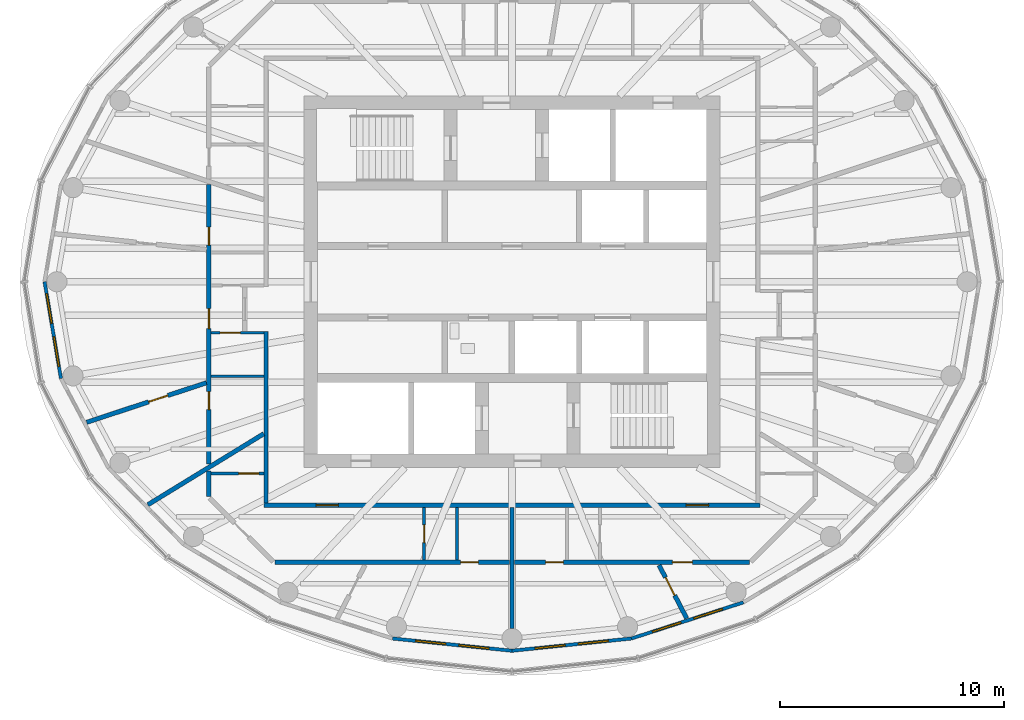
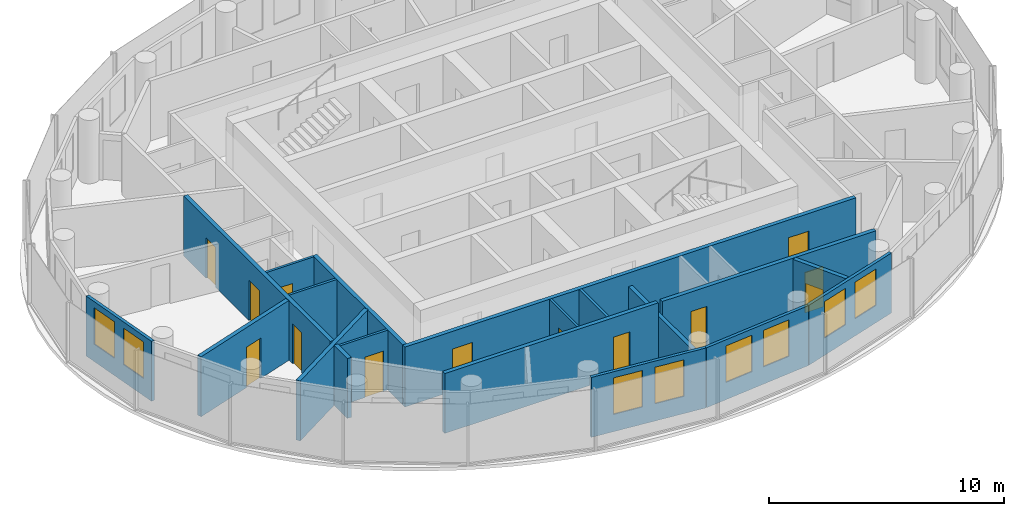
# One storey, part 5 of 12: 19 walls, 13 doors, 8 windows, 21 openings.
"""IFC4 building model written with IfcOpenShell, lengths in metres."""

from ifc_helpers import new_model, si_unit, direction, frame, frame_2d, origin, place, context, subcontext, project, spatial, rectangle, extrude, material, layer, layer_set, type_object, element, fill, save


model = new_model("IFC4")

# Units and contexts
model_context = context("Model", 3, precision=1e-05, world=origin(), true_north=direction((0.0, 1.0)))
body_context = subcontext(model_context, "Body", "Model", "MODEL_VIEW")
ifc_project = project(units=[si_unit("LENGTHUNIT", "METRE"), si_unit("AREAUNIT", "SQUARE_METRE"), si_unit("VOLUMEUNIT", "CUBIC_METRE"), si_unit("PLANEANGLEUNIT", "RADIAN"), si_unit("MASSUNIT", "GRAM", prefix="KILO")], contexts=[model_context])

# Site, building, storey
site_placement = place(None, origin())
site = spatial("IfcSite", under=ifc_project, at=site_placement, CompositionType="ELEMENT")
building_placement = place(site_placement, origin())
building = spatial("IfcBuilding", under=site, at=building_placement, Name="Hankou Lantern Tower", CompositionType="ELEMENT")
storey_placement = place(building_placement, frame((0.0, 0.0, 222.60009765625)))
storey = spatial("IfcBuildingStorey", under=building, at=storey_placement, Name="L60", CompositionType="ELEMENT", Elevation=222.60009765625)

# Wall, openings, windows
ifc_material_1 = material(Name="Aluminium spandrel panel on steel studs", Category="steel")
ifc_layer_1 = layer(ifc_material_1, 0.14990234375)
ifc_layer_set_1 = layer_set([ifc_layer_1], Name="Aluminium spandrel panel on steel studs")
wall_type_1 = type_object("IfcWallType", Name="EW1 INNER SKIN WALL 150", PredefinedType="ELEMENTEDWALL", material=ifc_layer_set_1)
wall_1_placement = place(storey_placement, frame((-20.89990234375, 0.0, 0.0), z_axis=(0.0, 0.0, 1.0), x_axis=(0.166538513568, -0.986034950445, 0.0)))
wall_1 = element("IfcWall", 1, at=wall_1_placement, inside=storey, type_object=wall_type_1, Name="Inner skin R13-R14 L60", PredefinedType="ELEMENTEDWALL", context=body_context, shape_type="SweptSolid", body=[
    extrude(rectangle(XDim=4.384765625, YDim=0.14990234375, at=frame_2d((2.1923828125, 0.0))), origin(), (0.0, 0.0, 1.0), 3.119873046875),
])
opening_1_placement = place(wall_1_placement, frame((0.54248046875, 0.0, 0.89990234375)))
opening_1 = element("IfcOpeningElement", 2, at=opening_1_placement, cuts=wall_1, Name="Opening W4", PredefinedType="OPENING", context=body_context, shape_type="SweptSolid", body=[
    extrude(rectangle(XDim=1.35009765625, YDim=1.89990234375, at=frame_2d((0.675048828125, 0.949951171875))), frame((0.0, 0.0849609375, 0.0), z_axis=(0.0, -1.0, 0.0), x_axis=(1.0, 0.0, 0.0)), (0.0, 0.0, 1.0), 0.169921875),
])
opening_2_placement = place(wall_1_placement, frame((2.492431640625, 0.0, 0.89990234375)))
opening_2 = element("IfcOpeningElement", 3, at=opening_2_placement, cuts=wall_1, Name="Opening W4", PredefinedType="OPENING", context=body_context, shape_type="SweptSolid", body=[
    extrude(rectangle(XDim=1.35009765625, YDim=1.89990234375, at=frame_2d((0.675048828125, 0.949951171875))), frame((0.0, 0.0849609375, 0.0), z_axis=(0.0, -1.0, 0.0), x_axis=(1.0, 0.0, 0.0)), (0.0, 0.0, 1.0), 0.169921875),
])
ifc_material_2 = material(Name="Aluminium framed double glazed window", Category="aluminium")
window_type = type_object("IfcWindowType", Name="W4 SUITE WINDOW 1350X1900", PartitioningType="DOUBLE_PANEL_VERTICAL", PredefinedType="WINDOW", material=ifc_material_2)
window_1_placement = place(opening_1_placement, origin())
window_1 = element("IfcWindow", 4, at=window_1_placement, inside=storey, type_object=window_type, Name="Window R13.1 L60", OverallHeight=1.89990234375, OverallWidth=1.35009765625, PartitioningType="SINGLE_PANEL", PredefinedType="WINDOW", context=body_context, shape_type="SweptSolid", body=[
    extrude(rectangle(XDim=1.35009765625, YDim=1.89990234375, at=frame_2d((0.675048828125, 0.949951171875))), frame((0.0, 0.030029296875, 0.0), z_axis=(0.0, -1.0, 0.0), x_axis=(1.0, 0.0, 0.0)), (0.0, 0.0, 1.0), 0.06005859375),
])
fill(opening_1, window_1)
window_2_placement = place(opening_2_placement, origin())
window_2 = element("IfcWindow", 5, at=window_2_placement, inside=storey, type_object=window_type, Name="Window R13.2 L60", OverallHeight=1.89990234375, OverallWidth=1.35009765625, PartitioningType="SINGLE_PANEL", PredefinedType="WINDOW", context=body_context, shape_type="SweptSolid", body=[
    extrude(rectangle(XDim=1.35009765625, YDim=1.89990234375, at=frame_2d((0.675048828125, 0.949951171875))), frame((0.0, 0.030029296875, 0.0), z_axis=(0.0, -1.0, 0.0), x_axis=(1.0, 0.0, 0.0)), (0.0, 0.0, 1.0), 0.06005859375),
])
fill(opening_2, window_2)

wall_2_placement = place(storey_placement, frame((-5.3427734375, -15.95166015625, 0.0), z_axis=(0.0, 0.0, 1.0), x_axis=(0.994774574972, -0.102095763818, 0.0)))
wall_2 = element("IfcWall", 6, at=wall_2_placement, inside=storey, type_object=wall_type_1, Name="Inner skin R18-R19 L60", PredefinedType="ELEMENTEDWALL", context=body_context, shape_type="SweptSolid", body=[
    extrude(rectangle(XDim=5.370849609375, YDim=0.14990234375, at=frame_2d((2.685546875, 0.0))), origin(), (0.0, 0.0, 1.0), 3.119873046875),
])
opening_3_placement = place(wall_2_placement, frame((1.035400390625, 0.0, 0.89990234375)))
opening_3 = element("IfcOpeningElement", 7, at=opening_3_placement, cuts=wall_2, Name="Opening W4", PredefinedType="OPENING", context=body_context, shape_type="SweptSolid", body=[
    extrude(rectangle(XDim=1.35009765625, YDim=1.89990234375, at=frame_2d((0.675048828125, 0.949951171875))), frame((0.0, 0.0849609375, 0.0), z_axis=(0.0, -1.0, 0.0), x_axis=(1.0, 0.0, 0.0)), (0.0, 0.0, 1.0), 0.169921875),
])
opening_4_placement = place(wall_2_placement, frame((2.9853515625, 0.0, 0.89990234375)))
opening_4 = element("IfcOpeningElement", 8, at=opening_4_placement, cuts=wall_2, Name="Opening W4", PredefinedType="OPENING", context=body_context, shape_type="SweptSolid", body=[
    extrude(rectangle(XDim=1.35009765625, YDim=1.89990234375, at=frame_2d((0.675048828125, 0.949951171875))), frame((0.0, 0.0849609375, 0.0), z_axis=(0.0, -1.0, 0.0), x_axis=(1.0, 0.0, 0.0)), (0.0, 0.0, 1.0), 0.169921875),
])
window_3_placement = place(opening_3_placement, origin())
window_3 = element("IfcWindow", 9, at=window_3_placement, inside=storey, type_object=window_type, Name="Window R18.1 L60", OverallHeight=1.89990234375, OverallWidth=1.35009765625, PartitioningType="SINGLE_PANEL", PredefinedType="WINDOW", context=body_context, shape_type="SweptSolid", body=[
    extrude(rectangle(XDim=1.35009765625, YDim=1.89990234375, at=frame_2d((0.675048828125, 0.949951171875))), frame((0.0, 0.030029296875, 0.0), z_axis=(0.0, -1.0, 0.0), x_axis=(1.0, 0.0, 0.0)), (0.0, 0.0, 1.0), 0.06005859375),
])
fill(opening_3, window_3)
window_4_placement = place(opening_4_placement, origin())
window_4 = element("IfcWindow", 10, at=window_4_placement, inside=storey, type_object=window_type, Name="Window R18.2 L60", OverallHeight=1.89990234375, OverallWidth=1.35009765625, PartitioningType="SINGLE_PANEL", PredefinedType="WINDOW", context=body_context, shape_type="SweptSolid", body=[
    extrude(rectangle(XDim=1.35009765625, YDim=1.89990234375, at=frame_2d((0.675048828125, 0.949951171875))), frame((0.0, 0.030029296875, 0.0), z_axis=(0.0, -1.0, 0.0), x_axis=(1.0, 0.0, 0.0)), (0.0, 0.0, 1.0), 0.06005859375),
])
fill(opening_4, window_4)

wall_3_placement = place(storey_placement, frame((0.0, -16.5, 0.0), z_axis=(0.0, 0.0, 1.0), x_axis=(0.994774574972, 0.102095763818, 0.0)))
wall_3 = element("IfcWall", 11, at=wall_3_placement, inside=storey, type_object=wall_type_1, Name="Inner skin R19-R20 L60", PredefinedType="ELEMENTEDWALL", context=body_context, shape_type="SweptSolid", body=[
    extrude(rectangle(XDim=5.370849609375, YDim=0.14990234375, at=frame_2d((2.685546875, 0.0))), origin(), (0.0, 0.0, 1.0), 3.119873046875),
])
opening_5_placement = place(wall_3_placement, frame((1.035400390625, 0.0, 0.89990234375)))
opening_5 = element("IfcOpeningElement", 12, at=opening_5_placement, cuts=wall_3, Name="Opening W4", PredefinedType="OPENING", context=body_context, shape_type="SweptSolid", body=[
    extrude(rectangle(XDim=1.35009765625, YDim=1.89990234375, at=frame_2d((0.675048828125, 0.949951171875))), frame((0.0, 0.0849609375, 0.0), z_axis=(0.0, -1.0, 0.0), x_axis=(1.0, 0.0, 0.0)), (0.0, 0.0, 1.0), 0.169921875),
])
opening_6_placement = place(wall_3_placement, frame((2.9853515625, 0.0, 0.89990234375)))
opening_6 = element("IfcOpeningElement", 13, at=opening_6_placement, cuts=wall_3, Name="Opening W4", PredefinedType="OPENING", context=body_context, shape_type="SweptSolid", body=[
    extrude(rectangle(XDim=1.35009765625, YDim=1.89990234375, at=frame_2d((0.675048828125, 0.949951171875))), frame((0.0, 0.0849609375, 0.0), z_axis=(0.0, -1.0, 0.0), x_axis=(1.0, 0.0, 0.0)), (0.0, 0.0, 1.0), 0.169921875),
])
window_5_placement = place(opening_5_placement, origin())
window_5 = element("IfcWindow", 14, at=window_5_placement, inside=storey, type_object=window_type, Name="Window R19.1 L60", OverallHeight=1.89990234375, OverallWidth=1.35009765625, PartitioningType="SINGLE_PANEL", PredefinedType="WINDOW", context=body_context, shape_type="SweptSolid", body=[
    extrude(rectangle(XDim=1.35009765625, YDim=1.89990234375, at=frame_2d((0.675048828125, 0.949951171875))), frame((0.0, 0.030029296875, 0.0), z_axis=(0.0, -1.0, 0.0), x_axis=(1.0, 0.0, 0.0)), (0.0, 0.0, 1.0), 0.06005859375),
])
fill(opening_5, window_5)
window_6_placement = place(opening_6_placement, origin())
window_6 = element("IfcWindow", 15, at=window_6_placement, inside=storey, type_object=window_type, Name="Window R19.2 L60", OverallHeight=1.89990234375, OverallWidth=1.35009765625, PartitioningType="SINGLE_PANEL", PredefinedType="WINDOW", context=body_context, shape_type="SweptSolid", body=[
    extrude(rectangle(XDim=1.35009765625, YDim=1.89990234375, at=frame_2d((0.675048828125, 0.949951171875))), frame((0.0, 0.030029296875, 0.0), z_axis=(0.0, -1.0, 0.0), x_axis=(1.0, 0.0, 0.0)), (0.0, 0.0, 1.0), 0.06005859375),
])
fill(opening_6, window_6)

wall_4_placement = place(storey_placement, frame((5.3427734375, -15.95166015625, 0.0), z_axis=(0.0, 0.0, 1.0), x_axis=(0.951644702515, 0.307200846638, 0.0)))
wall_4 = element("IfcWall", 16, at=wall_4_placement, inside=storey, type_object=wall_type_1, Name="Inner skin R20-R21 L60", PredefinedType="ELEMENTEDWALL", context=body_context, shape_type="SweptSolid", body=[
    extrude(rectangle(XDim=5.2578125, YDim=0.14990234375, at=frame_2d((2.62890625, 0.0))), origin(), (0.0, 0.0, 1.0), 3.119873046875),
])
opening_7_placement = place(wall_4_placement, frame((0.97900390625, 0.0, 0.89990234375)))
opening_7 = element("IfcOpeningElement", 17, at=opening_7_placement, cuts=wall_4, Name="Opening W4", PredefinedType="OPENING", context=body_context, shape_type="SweptSolid", body=[
    extrude(rectangle(XDim=1.35009765625, YDim=1.89990234375, at=frame_2d((0.675048828125, 0.949951171875))), frame((0.0, 0.0849609375, 0.0), z_axis=(0.0, -1.0, 0.0), x_axis=(1.0, 0.0, 0.0)), (0.0, 0.0, 1.0), 0.169921875),
])
opening_8_placement = place(wall_4_placement, frame((2.928955078125, 0.0, 0.89990234375)))
opening_8 = element("IfcOpeningElement", 18, at=opening_8_placement, cuts=wall_4, Name="Opening W4", PredefinedType="OPENING", context=body_context, shape_type="SweptSolid", body=[
    extrude(rectangle(XDim=1.35009765625, YDim=1.89990234375, at=frame_2d((0.675048828125, 0.949951171875))), frame((0.0, 0.0849609375, 0.0), z_axis=(0.0, -1.0, 0.0), x_axis=(1.0, 0.0, 0.0)), (0.0, 0.0, 1.0), 0.169921875),
])
window_7_placement = place(opening_7_placement, origin())
window_7 = element("IfcWindow", 19, at=window_7_placement, inside=storey, type_object=window_type, Name="Window R20.1 L60", OverallHeight=1.89990234375, OverallWidth=1.35009765625, PartitioningType="SINGLE_PANEL", PredefinedType="WINDOW", context=body_context, shape_type="SweptSolid", body=[
    extrude(rectangle(XDim=1.35009765625, YDim=1.89990234375, at=frame_2d((0.675048828125, 0.949951171875))), frame((0.0, 0.030029296875, 0.0), z_axis=(0.0, -1.0, 0.0), x_axis=(1.0, 0.0, 0.0)), (0.0, 0.0, 1.0), 0.06005859375),
])
fill(opening_7, window_7)
window_8_placement = place(opening_8_placement, origin())
window_8 = element("IfcWindow", 20, at=window_8_placement, inside=storey, type_object=window_type, Name="Window R20.2 L60", OverallHeight=1.89990234375, OverallWidth=1.35009765625, PartitioningType="SINGLE_PANEL", PredefinedType="WINDOW", context=body_context, shape_type="SweptSolid", body=[
    extrude(rectangle(XDim=1.35009765625, YDim=1.89990234375, at=frame_2d((0.675048828125, 0.949951171875))), frame((0.0, 0.030029296875, 0.0), z_axis=(0.0, -1.0, 0.0), x_axis=(1.0, 0.0, 0.0)), (0.0, 0.0, 1.0), 0.06005859375),
])
fill(opening_8, window_8)

# Walls
ifc_material_3 = material(Name="Masonry lightweight concrete block", Category="masonry")
ifc_layer_2 = layer(ifc_material_3, 0.199951171875)
ifc_layer_set_2 = layer_set([ifc_layer_2], Name="Masonry lightweight concrete block")
wall_type_2 = type_object("IfcWallType", Name="IW1 GUEST ROOM PARTY WALL 200", PredefinedType="PARTITIONING", material=ifc_layer_set_2)
wall_5_placement = place(storey_placement, frame((-11.10009765625, -6.79736328125, 0.0), z_axis=(0.0, 0.0, 1.0), x_axis=(-0.852799818179, -0.522237943963, 0.0)))
element("IfcWall", 21, at=wall_5_placement, inside=storey, type_object=wall_type_2, Name="Party wall R15-R16", PredefinedType="PARTITIONING", context=body_context, shape_type="SweptSolid", body=[
    extrude(rectangle(XDim=6.076904296875, YDim=0.199951171875, at=frame_2d((3.03857421875, 0.0))), origin(), (0.0, 0.0, 1.0), 3.119873046875),
])
wall_6_placement = place(storey_placement, frame((0.0, -10.10009765625, 0.0), z_axis=(0.0, 0.0, 1.0), x_axis=(0.0, -1.0, 0.0)))
element("IfcWall", 22, at=wall_6_placement, inside=storey, type_object=wall_type_2, Name="Party wall R19", PredefinedType="PARTITIONING", context=body_context, shape_type="SweptSolid", body=[
    extrude(rectangle(XDim=5.39990234375, YDim=0.199951171875, at=frame_2d((2.699951171875, 0.0))), origin(), (0.0, 0.0, 1.0), 2.419921875),
])

# Wall, openings, doors
ifc_material_4 = material(Name="Masonry lightweight concrete block", Category="masonry")
ifc_layer_3 = layer(ifc_material_4, 0.199951171875)
ifc_layer_set_3 = layer_set([ifc_layer_3], Name="Masonry lightweight concrete block")
wall_type_3 = type_object("IfcWallType", Name="IW2 CORRIDOR WALL 200", PredefinedType="PARTITIONING", material=ifc_layer_set_3)
wall_7_placement = place(storey_placement, frame((11.10009765625, -10.0, 0.0), z_axis=(0.0, 0.0, 1.0), x_axis=(-1.0, 0.0, 0.0)))
wall_7 = element("IfcWall", 23, at=wall_7_placement, inside=storey, type_object=wall_type_3, Name="Corridor wall south", PredefinedType="PARTITIONING", context=body_context, shape_type="SweptSolid", body=[
    extrude(rectangle(XDim=22.2001953125, YDim=0.199951171875, at=frame_2d((11.10009765625, 0.0))), origin(), (0.0, 0.0, 1.0), 3.119873046875),
])
opening_9_placement = place(wall_7_placement, frame((18.8642578125, 0.0, 0.0)))
opening_9 = element("IfcOpeningElement", 24, at=opening_9_placement, cuts=wall_7, Name="Opening D2", PredefinedType="OPENING", context=body_context, shape_type="SweptSolid", body=[
    extrude(rectangle(XDim=1.0, YDim=2.199951171875, at=frame_2d((0.5, 1.10009765625))), frame((0.0, 0.10986328125, 0.0), z_axis=(0.0, -1.0, 0.0), x_axis=(1.0, 0.0, 0.0)), (0.0, 0.0, 1.0), 0.219970703125),
])
opening_10_placement = place(wall_7_placement, frame((2.30908203125, 0.0, 0.0)))
opening_10 = element("IfcOpeningElement", 25, at=opening_10_placement, cuts=wall_7, Name="Opening D2", PredefinedType="OPENING", context=body_context, shape_type="SweptSolid", body=[
    extrude(rectangle(XDim=1.0, YDim=2.199951171875, at=frame_2d((0.5, 1.10009765625))), frame((0.0, 0.10986328125, 0.0), z_axis=(0.0, -1.0, 0.0), x_axis=(1.0, 0.0, 0.0)), (0.0, 0.0, 1.0), 0.219970703125),
])
ifc_material_5 = material(Name="Steel door leaf", Category="steel")
door_type_1 = type_object("IfcDoorType", Name="D2 SUITE DOOR 1000X2200", OperationType="SINGLE_SWING_LEFT", PredefinedType="DOOR", material=ifc_material_5)
door_1_placement = place(opening_9_placement, origin())
door_1 = element("IfcDoor", 26, at=door_1_placement, inside=storey, type_object=door_type_1, Name="Suite door 6004", OperationType="SINGLE_SWING_LEFT", OverallHeight=2.199951171875, OverallWidth=1.0, PredefinedType="DOOR", context=body_context, shape_type="SweptSolid", body=[
    extrude(rectangle(XDim=1.0, YDim=2.199951171875, at=frame_2d((0.5, 1.10009765625))), frame((0.0, 0.02490234375, 0.0), z_axis=(0.0, -1.0, 0.0), x_axis=(1.0, 0.0, 0.0)), (0.0, 0.0, 1.0), 0.050048828125),
])
fill(opening_9, door_1)
door_2_placement = place(opening_10_placement, origin())
door_2 = element("IfcDoor", 27, at=door_2_placement, inside=storey, type_object=door_type_1, Name="Suite door 6005", OperationType="SINGLE_SWING_RIGHT", OverallHeight=2.199951171875, OverallWidth=1.0, PredefinedType="DOOR", context=body_context, shape_type="SweptSolid", body=[
    extrude(rectangle(XDim=1.0, YDim=2.199951171875, at=frame_2d((0.5, 1.10009765625))), frame((0.0, 0.02490234375, 0.0), z_axis=(0.0, -1.0, 0.0), x_axis=(1.0, 0.0, 0.0)), (0.0, 0.0, 1.0), 0.050048828125),
])
fill(opening_10, door_2)

# Wall
wall_8_placement = place(storey_placement, frame((-11.0, -2.234375, 0.0), z_axis=(0.0, 0.0, 1.0), x_axis=(0.0, -1.0, 0.0)))
element("IfcWall", 28, at=wall_8_placement, inside=storey, type_object=wall_type_3, Name="Corridor wall west", PredefinedType="PARTITIONING", context=body_context, shape_type="SweptSolid", body=[
    extrude(rectangle(XDim=7.66552734375, YDim=0.199951171875, at=frame_2d((3.832763671875, 0.0))), origin(), (0.0, 0.0, 1.0), 3.119873046875),
])

# Wall, opening, door
ifc_material_6 = material(Name="Masonry lightweight concrete block", Category="masonry")
ifc_layer_4 = layer(ifc_material_6, 0.1201171875)
ifc_layer_set_4 = layer_set([ifc_layer_4], Name="Masonry lightweight concrete block")
wall_type_4 = type_object("IfcWallType", Name="IW3 BATHROOM WALL 120", PredefinedType="PARTITIONING", material=ifc_layer_set_4)
wall_9_placement = place(storey_placement, frame((-11.10009765625, -2.284423828125, 0.0), z_axis=(0.0, 0.0, 1.0), x_axis=(-1.0, 0.0, 0.0)))
wall_9 = element("IfcWall", 29, at=wall_9_placement, inside=storey, type_object=wall_type_4, Name="Box wall 6003 3", PredefinedType="PARTITIONING", context=body_context, shape_type="SweptSolid", body=[
    extrude(rectangle(XDim=2.349853515625, YDim=0.1201171875, at=frame_2d((1.1748046875, 0.0))), origin(), (0.0, 0.0, 1.0), 3.119873046875),
])
opening_11_placement = place(wall_9_placement, frame((1.050048828125, 0.0, 0.0)))
opening_11 = element("IfcOpeningElement", 30, at=opening_11_placement, cuts=wall_9, Name="Opening D27", PredefinedType="OPENING", context=body_context, shape_type="SweptSolid", body=[
    extrude(rectangle(XDim=0.89990234375, YDim=2.10009765625, at=frame_2d((0.449951171875, 1.050048828125))), frame((0.0, 0.070068359375, 0.0), z_axis=(0.0, -1.0, 0.0), x_axis=(1.0, 0.0, 0.0)), (0.0, 0.0, 1.0), 0.14013671875),
])
ifc_material_7 = material(Name="Timber door leaf", Category="wood")
door_type_2 = type_object("IfcDoorType", Name="D27 INTERNAL DOOR 900X2100", OperationType="SINGLE_SWING_LEFT", PredefinedType="DOOR", material=ifc_material_7)
door_3_placement = place(opening_11_placement, origin())
door_3 = element("IfcDoor", 31, at=door_3_placement, inside=storey, type_object=door_type_2, Name="Family suite 6003 walk-in wardrobe door", OperationType="SINGLE_SWING_RIGHT", OverallHeight=2.10009765625, OverallWidth=0.89990234375, PredefinedType="DOOR", context=body_context, shape_type="SweptSolid", body=[
    extrude(rectangle(XDim=0.89990234375, YDim=2.10009765625, at=frame_2d((0.449951171875, 1.050048828125))), frame((0.0, 0.02490234375, 0.0), z_axis=(0.0, -1.0, 0.0), x_axis=(1.0, 0.0, 0.0)), (0.0, 0.0, 1.0), 0.050048828125),
])
fill(opening_11, door_3)

# Wall
wall_10_placement = place(storey_placement, frame((-11.10009765625, -4.227783203125, 0.0), z_axis=(0.0, 0.0, 1.0), x_axis=(-1.0, 0.0, 0.0)))
element("IfcWall", 32, at=wall_10_placement, inside=storey, type_object=wall_type_4, Name="Box wall 6003 4", PredefinedType="PARTITIONING", context=body_context, shape_type="SweptSolid", body=[
    extrude(rectangle(XDim=2.349853515625, YDim=0.1201171875, at=frame_2d((1.1748046875, 0.0))), origin(), (0.0, 0.0, 1.0), 3.119873046875),
])

# Wall, opening, door
wall_11_placement = place(storey_placement, frame((-11.10009765625, -8.57568359375, 0.0), z_axis=(0.0, 0.0, 1.0), x_axis=(-1.0, 0.0, 0.0)))
wall_11 = element("IfcWall", 33, at=wall_11_placement, inside=storey, type_object=wall_type_4, Name="Box wall 6004 1", PredefinedType="PARTITIONING", context=body_context, shape_type="SweptSolid", body=[
    extrude(rectangle(XDim=2.349853515625, YDim=0.1201171875, at=frame_2d((1.1748046875, 0.0))), origin(), (0.0, 0.0, 1.0), 3.119873046875),
])
opening_12_placement = place(wall_11_placement, frame((0.219970703125, 0.0, 0.0)))
opening_12 = element("IfcOpeningElement", 34, at=opening_12_placement, cuts=wall_11, Name="Opening D27", PredefinedType="OPENING", context=body_context, shape_type="SweptSolid", body=[
    extrude(rectangle(XDim=0.89990234375, YDim=2.10009765625, at=frame_2d((0.449951171875, 1.050048828125))), frame((0.0, 0.070068359375, 0.0), z_axis=(0.0, -1.0, 0.0), x_axis=(1.0, 0.0, 0.0)), (0.0, 0.0, 1.0), 0.14013671875),
])
door_4_placement = place(opening_12_placement, origin())
door_4 = element("IfcDoor", 35, at=door_4_placement, inside=storey, type_object=door_type_2, Name="Suite 6004 walk-in wardrobe door", OperationType="SINGLE_SWING_LEFT", OverallHeight=2.10009765625, OverallWidth=0.89990234375, PredefinedType="DOOR", context=body_context, shape_type="SweptSolid", body=[
    extrude(rectangle(XDim=0.89990234375, YDim=2.10009765625, at=frame_2d((0.449951171875, 1.050048828125))), frame((0.0, 0.02490234375, 0.0), z_axis=(0.0, -1.0, 0.0), x_axis=(1.0, 0.0, 0.0)), (0.0, 0.0, 1.0), 0.050048828125),
])
fill(opening_12, door_4)

wall_12_placement = place(storey_placement, frame((-3.930908203125, -10.10009765625, 0.0), z_axis=(0.0, 0.0, 1.0), x_axis=(0.0, -1.0, 0.0)))
wall_12 = element("IfcWall", 36, at=wall_12_placement, inside=storey, type_object=wall_type_4, Name="Box wall 6004 2", PredefinedType="PARTITIONING", context=body_context, shape_type="SweptSolid", body=[
    extrude(rectangle(XDim=2.349853515625, YDim=0.1201171875, at=frame_2d((1.1748046875, 0.0))), origin(), (0.0, 0.0, 1.0), 3.119873046875),
])
opening_13_placement = place(wall_12_placement, frame((0.77001953125, 0.0, 0.0)))
opening_13 = element("IfcOpeningElement", 37, at=opening_13_placement, cuts=wall_12, Name="Opening D3", PredefinedType="OPENING", context=body_context, shape_type="SweptSolid", body=[
    extrude(rectangle(XDim=0.800048828125, YDim=2.10009765625, at=frame_2d((0.39990234375, 1.050048828125))), frame((0.0, 0.070068359375, 0.0), z_axis=(0.0, -1.0, 0.0), x_axis=(1.0, 0.0, 0.0)), (0.0, 0.0, 1.0), 0.14013671875),
])
ifc_material_8 = material(Name="Timber door leaf", Category="wood")
door_type_3 = type_object("IfcDoorType", Name="D3 BATHROOM DOOR 800X2100", OperationType="SINGLE_SWING_LEFT", PredefinedType="DOOR", material=ifc_material_8)
door_5_placement = place(opening_13_placement, origin())
door_5 = element("IfcDoor", 38, at=door_5_placement, inside=storey, type_object=door_type_3, Name="Suite 6004 guest WC door", OperationType="SINGLE_SWING_LEFT", OverallHeight=2.10009765625, OverallWidth=0.800048828125, PredefinedType="DOOR", context=body_context, shape_type="SweptSolid", body=[
    extrude(rectangle(XDim=0.800048828125, YDim=2.10009765625, at=frame_2d((0.39990234375, 1.050048828125))), frame((0.0, 0.02490234375, 0.0), z_axis=(0.0, -1.0, 0.0), x_axis=(1.0, 0.0, 0.0)), (0.0, 0.0, 1.0), 0.050048828125),
])
fill(opening_13, door_5)

# Wall
wall_13_placement = place(storey_placement, frame((-2.4609375, -10.10009765625, 0.0), z_axis=(0.0, 0.0, 1.0), x_axis=(0.0, -1.0, 0.0)))
element("IfcWall", 39, at=wall_13_placement, inside=storey, type_object=wall_type_4, Name="Box wall 6004 3", PredefinedType="PARTITIONING", context=body_context, shape_type="SweptSolid", body=[
    extrude(rectangle(XDim=2.349853515625, YDim=0.1201171875, at=frame_2d((1.1748046875, 0.0))), origin(), (0.0, 0.0, 1.0), 3.119873046875),
])

# Wall, openings, doors
ifc_material_9 = material(Name="Masonry lightweight concrete block", Category="masonry")
ifc_layer_5 = layer(ifc_material_9, 0.199951171875)
ifc_layer_set_5 = layer_set([ifc_layer_5], Name="Masonry lightweight concrete block")
wall_type_5 = type_object("IfcWallType", Name="IW6 SUITE PARTITION 200", PredefinedType="PARTITIONING", material=ifc_layer_set_5)
wall_14_placement = place(storey_placement, frame((-13.550048828125, 4.357177734375, 0.0), z_axis=(0.0, 0.0, 1.0), x_axis=(0.0, -1.0, 0.0)))
wall_14 = element("IfcWall", 40, at=wall_14_placement, inside=storey, type_object=wall_type_5, Name="Suite foyer wall 6003", PredefinedType="PARTITIONING", context=body_context, shape_type="SweptSolid", body=[
    extrude(rectangle(XDim=12.496337890625, YDim=0.199951171875, at=frame_2d((6.248046875, 0.0))), origin(), (0.0, 0.0, 1.0), 3.119873046875),
])
opening_14_placement = place(wall_14_placement, frame((1.919921875, 0.0, 0.0)))
opening_14 = element("IfcOpeningElement", 41, at=opening_14_placement, cuts=wall_14, Name="Opening D3", PredefinedType="OPENING", context=body_context, shape_type="SweptSolid", body=[
    extrude(rectangle(XDim=0.800048828125, YDim=2.10009765625, at=frame_2d((0.39990234375, 1.050048828125))), frame((0.0, 0.10986328125, 0.0), z_axis=(0.0, -1.0, 0.0), x_axis=(1.0, 0.0, 0.0)), (0.0, 0.0, 1.0), 0.219970703125),
])
opening_15_placement = place(wall_14_placement, frame((9.27001953125, 0.0, 0.0)))
opening_15 = element("IfcOpeningElement", 42, at=opening_15_placement, cuts=wall_14, Name="Opening D3", PredefinedType="OPENING", context=body_context, shape_type="SweptSolid", body=[
    extrude(rectangle(XDim=0.800048828125, YDim=2.10009765625, at=frame_2d((0.39990234375, 1.050048828125))), frame((0.0, 0.10986328125, 0.0), z_axis=(0.0, -1.0, 0.0), x_axis=(1.0, 0.0, 0.0)), (0.0, 0.0, 1.0), 0.219970703125),
])
opening_16_placement = place(wall_14_placement, frame((5.556640625, 0.0, 0.0)))
opening_16 = element("IfcOpeningElement", 43, at=opening_16_placement, cuts=wall_14, Name="Opening D27", PredefinedType="OPENING", context=body_context, shape_type="SweptSolid", body=[
    extrude(rectangle(XDim=0.89990234375, YDim=2.10009765625, at=frame_2d((0.449951171875, 1.050048828125))), frame((0.0, 0.10986328125, 0.0), z_axis=(0.0, -1.0, 0.0), x_axis=(1.0, 0.0, 0.0)), (0.0, 0.0, 1.0), 0.219970703125),
])
door_6_placement = place(opening_16_placement, origin())
door_6 = element("IfcDoor", 44, at=door_6_placement, inside=storey, type_object=door_type_2, Name="Family suite 6003 living room door", OperationType="SINGLE_SWING_RIGHT", OverallHeight=2.10009765625, OverallWidth=0.89990234375, PredefinedType="DOOR", context=body_context, shape_type="SweptSolid", body=[
    extrude(rectangle(XDim=0.89990234375, YDim=2.10009765625, at=frame_2d((0.449951171875, 1.050048828125))), frame((0.0, 0.02490234375, 0.0), z_axis=(0.0, -1.0, 0.0), x_axis=(1.0, 0.0, 0.0)), (0.0, 0.0, 1.0), 0.050048828125),
])
fill(opening_16, door_6)
door_7_placement = place(opening_14_placement, origin())
door_7 = element("IfcDoor", 45, at=door_7_placement, inside=storey, type_object=door_type_3, Name="Family suite 6003 bathroom door", OperationType="SINGLE_SWING_RIGHT", OverallHeight=2.10009765625, OverallWidth=0.800048828125, PredefinedType="DOOR", context=body_context, shape_type="SweptSolid", body=[
    extrude(rectangle(XDim=0.800048828125, YDim=2.10009765625, at=frame_2d((0.39990234375, 1.050048828125))), frame((0.0, 0.02490234375, 0.0), z_axis=(0.0, -1.0, 0.0), x_axis=(1.0, 0.0, 0.0)), (0.0, 0.0, 1.0), 0.050048828125),
])
fill(opening_14, door_7)
door_8_placement = place(opening_15_placement, origin())
door_8 = element("IfcDoor", 46, at=door_8_placement, inside=storey, type_object=door_type_3, Name="Family suite 6003 second bathroom door", OperationType="SINGLE_SWING_LEFT", OverallHeight=2.10009765625, OverallWidth=0.800048828125, PredefinedType="DOOR", context=body_context, shape_type="SweptSolid", body=[
    extrude(rectangle(XDim=0.800048828125, YDim=2.10009765625, at=frame_2d((0.39990234375, 1.050048828125))), frame((0.0, 0.02490234375, 0.0), z_axis=(0.0, -1.0, 0.0), x_axis=(1.0, 0.0, 0.0)), (0.0, 0.0, 1.0), 0.050048828125),
])
fill(opening_15, door_8)

# Wall, opening, door
wall_15_placement = place(storey_placement, frame((-13.664306640625, -4.516357421875, 0.0), z_axis=(0.0, 0.0, 1.0), x_axis=(-0.949481375941, -0.313823384632, 0.0)))
wall_15 = element("IfcWall", 47, at=wall_15_placement, inside=storey, type_object=wall_type_5, Name="Suite partition R14-R15", PredefinedType="PARTITIONING", context=body_context, shape_type="SweptSolid", body=[
    extrude(rectangle(XDim=5.637939453125, YDim=0.199951171875, at=frame_2d((2.81884765625, 0.0))), origin(), (0.0, 0.0, 1.0), 3.119873046875),
])
opening_17_placement = place(wall_15_placement, frame((1.820068359375, 0.0, 0.0)))
opening_17 = element("IfcOpeningElement", 48, at=opening_17_placement, cuts=wall_15, Name="Opening D27", PredefinedType="OPENING", context=body_context, shape_type="SweptSolid", body=[
    extrude(rectangle(XDim=0.89990234375, YDim=2.10009765625, at=frame_2d((0.449951171875, 1.050048828125))), frame((0.0, 0.10986328125, 0.0), z_axis=(0.0, -1.0, 0.0), x_axis=(1.0, 0.0, 0.0)), (0.0, 0.0, 1.0), 0.219970703125),
])
door_9_placement = place(opening_17_placement, origin())
door_9 = element("IfcDoor", 49, at=door_9_placement, inside=storey, type_object=door_type_2, Name="Family suite 6003 second bedroom door", OperationType="SINGLE_SWING_LEFT", OverallHeight=2.10009765625, OverallWidth=0.89990234375, PredefinedType="DOOR", context=body_context, shape_type="SweptSolid", body=[
    extrude(rectangle(XDim=0.89990234375, YDim=2.10009765625, at=frame_2d((0.449951171875, 1.050048828125))), frame((0.0, 0.02490234375, 0.0), z_axis=(0.0, -1.0, 0.0), x_axis=(1.0, 0.0, 0.0)), (0.0, 0.0, 1.0), 0.050048828125),
])
fill(opening_17, door_9)

# Wall
wall_16_placement = place(storey_placement, frame((-13.550048828125, -8.4560546875, 0.0), z_axis=(0.0, 0.0, 1.0), x_axis=(0.0, -1.0, 0.0)))
element("IfcWall", 50, at=wall_16_placement, inside=storey, type_object=wall_type_5, Name="Suite foyer wall 6004", PredefinedType="PARTITIONING", context=body_context, shape_type="SweptSolid", body=[
    extrude(rectangle(XDim=1.152587890625, YDim=0.199951171875, at=frame_2d((0.576171875, 0.0))), origin(), (0.0, 0.0, 1.0), 3.119873046875),
])

# Wall, opening, door
wall_17_placement = place(storey_placement, frame((-10.608642578125, -12.550048828125, 0.0), z_axis=(0.0, 0.0, 1.0), x_axis=(1.0, 0.0, 0.0)))
wall_17 = element("IfcWall", 51, at=wall_17_placement, inside=storey, type_object=wall_type_5, Name="Suite foyer wall 6004", PredefinedType="PARTITIONING", context=body_context, shape_type="SweptSolid", body=[
    extrude(rectangle(XDim=10.507568359375, YDim=0.199951171875, at=frame_2d((5.25390625, 0.0))), origin(), (0.0, 0.0, 1.0), 3.119873046875),
])
opening_18_placement = place(wall_17_placement, frame((8.3076171875, 0.0, 0.0)))
opening_18 = element("IfcOpeningElement", 52, at=opening_18_placement, cuts=wall_17, Name="Opening D3", PredefinedType="OPENING", context=body_context, shape_type="SweptSolid", body=[
    extrude(rectangle(XDim=0.800048828125, YDim=2.10009765625, at=frame_2d((0.39990234375, 1.050048828125))), frame((0.0, 0.10986328125, 0.0), z_axis=(0.0, -1.0, 0.0), x_axis=(1.0, 0.0, 0.0)), (0.0, 0.0, 1.0), 0.219970703125),
])
door_10_placement = place(opening_18_placement, origin())
door_10 = element("IfcDoor", 53, at=door_10_placement, inside=storey, type_object=door_type_3, Name="Suite 6004 bathroom door", OperationType="SINGLE_SWING_LEFT", OverallHeight=2.10009765625, OverallWidth=0.800048828125, PredefinedType="DOOR", context=body_context, shape_type="SweptSolid", body=[
    extrude(rectangle(XDim=0.800048828125, YDim=2.10009765625, at=frame_2d((0.39990234375, 1.050048828125))), frame((0.0, 0.02490234375, 0.0), z_axis=(0.0, -1.0, 0.0), x_axis=(1.0, 0.0, 0.0)), (0.0, 0.0, 1.0), 0.050048828125),
])
fill(opening_18, door_10)

# Wall, openings, doors
wall_18_placement = place(storey_placement, frame((0.10107421875, -12.550048828125, 0.0), z_axis=(0.0, 0.0, 1.0), x_axis=(1.0, 0.0, 0.0)))
wall_18 = element("IfcWall", 54, at=wall_18_placement, inside=storey, type_object=wall_type_5, Name="Suite foyer wall 6005", PredefinedType="PARTITIONING", context=body_context, shape_type="SweptSolid", body=[
    extrude(rectangle(XDim=10.507568359375, YDim=0.199951171875, at=frame_2d((5.25390625, 0.0))), origin(), (0.0, 0.0, 1.0), 3.119873046875),
])
opening_19_placement = place(wall_18_placement, frame((1.39990234375, 0.0, 0.0)))
opening_19 = element("IfcOpeningElement", 55, at=opening_19_placement, cuts=wall_18, Name="Opening D3", PredefinedType="OPENING", context=body_context, shape_type="SweptSolid", body=[
    extrude(rectangle(XDim=0.800048828125, YDim=2.10009765625, at=frame_2d((0.39990234375, 1.050048828125))), frame((0.0, 0.10986328125, 0.0), z_axis=(0.0, -1.0, 0.0), x_axis=(1.0, 0.0, 0.0)), (0.0, 0.0, 1.0), 0.219970703125),
])
opening_20_placement = place(wall_18_placement, frame((7.070068359375, 0.0, 0.0)))
opening_20 = element("IfcOpeningElement", 56, at=opening_20_placement, cuts=wall_18, Name="Opening D27", PredefinedType="OPENING", context=body_context, shape_type="SweptSolid", body=[
    extrude(rectangle(XDim=0.89990234375, YDim=2.10009765625, at=frame_2d((0.449951171875, 1.050048828125))), frame((0.0, 0.10986328125, 0.0), z_axis=(0.0, -1.0, 0.0), x_axis=(1.0, 0.0, 0.0)), (0.0, 0.0, 1.0), 0.219970703125),
])
door_11_placement = place(opening_20_placement, origin())
door_11 = element("IfcDoor", 57, at=door_11_placement, inside=storey, type_object=door_type_2, Name="Suite 6005 living room door", OperationType="SINGLE_SWING_LEFT", OverallHeight=2.10009765625, OverallWidth=0.89990234375, PredefinedType="DOOR", context=body_context, shape_type="SweptSolid", body=[
    extrude(rectangle(XDim=0.89990234375, YDim=2.10009765625, at=frame_2d((0.449951171875, 1.050048828125))), frame((0.0, 0.02490234375, 0.0), z_axis=(0.0, -1.0, 0.0), x_axis=(1.0, 0.0, 0.0)), (0.0, 0.0, 1.0), 0.050048828125),
])
fill(opening_20, door_11)
door_12_placement = place(opening_19_placement, origin())
door_12 = element("IfcDoor", 58, at=door_12_placement, inside=storey, type_object=door_type_3, Name="Suite 6005 bathroom door", OperationType="SINGLE_SWING_RIGHT", OverallHeight=2.10009765625, OverallWidth=0.800048828125, PredefinedType="DOOR", context=body_context, shape_type="SweptSolid", body=[
    extrude(rectangle(XDim=0.800048828125, YDim=2.10009765625, at=frame_2d((0.39990234375, 1.050048828125))), frame((0.0, 0.02490234375, 0.0), z_axis=(0.0, -1.0, 0.0), x_axis=(1.0, 0.0, 0.0)), (0.0, 0.0, 1.0), 0.050048828125),
])
fill(opening_19, door_12)

# Wall, opening, door
wall_19_placement = place(storey_placement, frame((6.578125, -12.676513671875, 0.0), z_axis=(0.0, 0.0, 1.0), x_axis=(0.460620531465, -0.887597164255, 0.0)))
wall_19 = element("IfcWall", 59, at=wall_19_placement, inside=storey, type_object=wall_type_5, Name="Suite partition R20-R21", PredefinedType="PARTITIONING", context=body_context, shape_type="SweptSolid", body=[
    extrude(rectangle(XDim=2.677734375, YDim=0.199951171875, at=frame_2d((1.3388671875, 0.0))), origin(), (0.0, 0.0, 1.0), 3.119873046875),
])
opening_21_placement = place(wall_19_placement, frame((0.6201171875, 0.0, 0.0)))
opening_21 = element("IfcOpeningElement", 60, at=opening_21_placement, cuts=wall_19, Name="Opening D27", PredefinedType="OPENING", context=body_context, shape_type="SweptSolid", body=[
    extrude(rectangle(XDim=0.89990234375, YDim=2.10009765625, at=frame_2d((0.449951171875, 1.050048828125))), frame((0.0, 0.10986328125, 0.0), z_axis=(0.0, -1.0, 0.0), x_axis=(1.0, 0.0, 0.0)), (0.0, 0.0, 1.0), 0.219970703125),
])
door_13_placement = place(opening_21_placement, origin())
door_13 = element("IfcDoor", 61, at=door_13_placement, inside=storey, type_object=door_type_2, Name="Suite 6005 bedroom door", OperationType="SINGLE_SWING_LEFT", OverallHeight=2.10009765625, OverallWidth=0.89990234375, PredefinedType="DOOR", context=body_context, shape_type="SweptSolid", body=[
    extrude(rectangle(XDim=0.89990234375, YDim=2.10009765625, at=frame_2d((0.449951171875, 1.050048828125))), frame((0.0, 0.02490234375, 0.0), z_axis=(0.0, -1.0, 0.0), x_axis=(1.0, 0.0, 0.0)), (0.0, 0.0, 1.0), 0.050048828125),
])
fill(opening_21, door_13)

save(model, "model.ifc")
